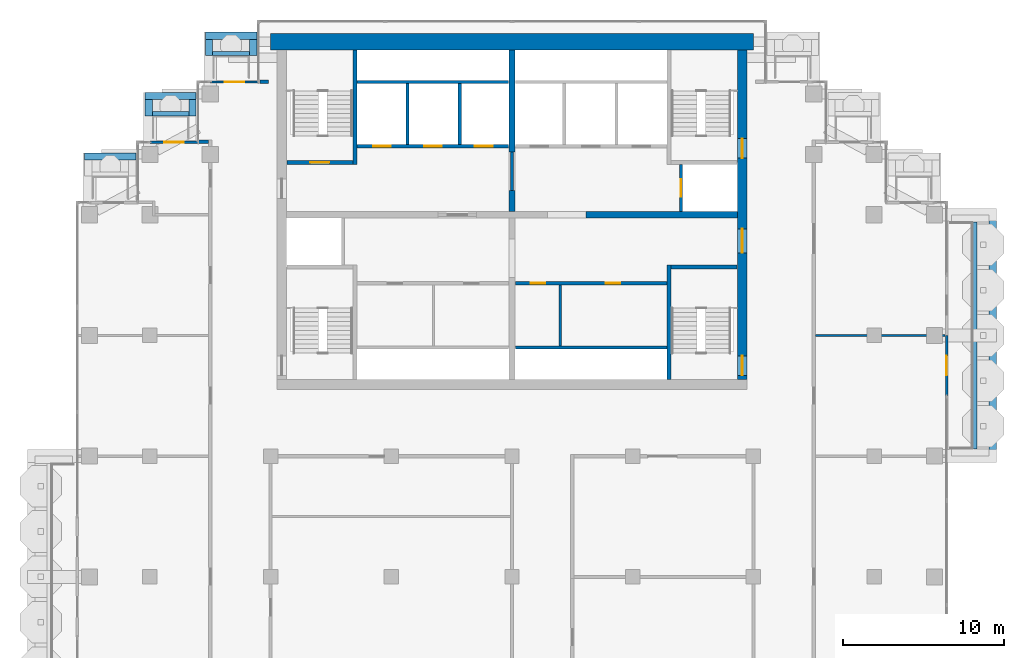
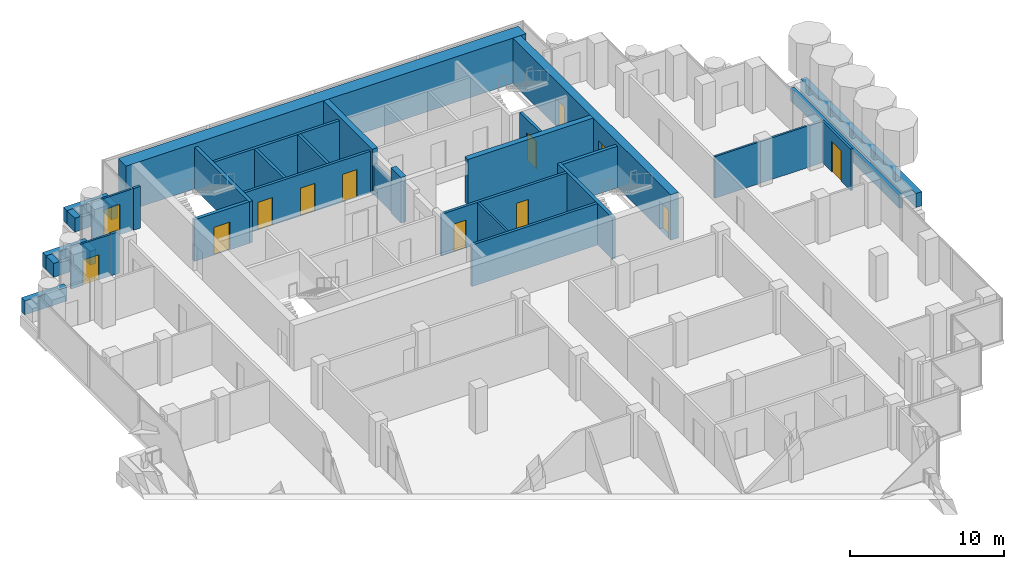
# One storey, part 13 of 18: 35 walls, 13 doors, 13 openings.
"""IFC4 building model written with IfcOpenShell, lengths in metres."""

from ifc_helpers import new_model, si_unit, direction, frame, frame_2d, origin, place, context, subcontext, project, spatial, rectangle, extrude, material, layer, layer_set, type_object, element, fill, save


model = new_model("IFC4")

# Units and contexts
model_context = context("Model", 3, precision=1e-05, world=origin(), true_north=direction((0.0, 1.0)))
body_context = subcontext(model_context, "Body", "Model", "MODEL_VIEW")
ifc_project = project(units=[si_unit("LENGTHUNIT", "METRE"), si_unit("AREAUNIT", "SQUARE_METRE"), si_unit("VOLUMEUNIT", "CUBIC_METRE"), si_unit("PLANEANGLEUNIT", "RADIAN"), si_unit("MASSUNIT", "GRAM", prefix="KILO")], contexts=[model_context])

# Site, building, storey
site_placement = place(None, origin())
site = spatial("IfcSite", under=ifc_project, at=site_placement, CompositionType="ELEMENT")
building_placement = place(site_placement, origin())
building = spatial("IfcBuilding", under=site, at=building_placement, Name="Pilkhan Gate Tower", CompositionType="ELEMENT")
storey_placement = place(building_placement, frame((0.0, 0.0, 195.89990234375)))
storey = spatial("IfcBuildingStorey", under=building, at=storey_placement, Name="L50", CompositionType="ELEMENT", Elevation=195.89990234375)

# Walls
ifc_material_1 = material(Name="Concrete C40/50", Category="concrete")
ifc_layer_1 = layer(ifc_material_1, 0.25)
ifc_layer_set_1 = layer_set([ifc_layer_1], Name="Balcony planter BP250")
wall_type_1 = type_object("IfcWallType", Name="Balcony planter BP250", PredefinedType="USERDEFINED", material=ifc_layer_set_1)
wall_1_placement = place(storey_placement, frame((103.77490234375, 67.949951171875, 0.0), z_axis=(0.0, 0.0, 1.0), x_axis=(0.0, 1.0, 0.0)))
element("IfcWall", 1, at=wall_1_placement, inside=storey, type_object=wall_type_1, Name="Balcony planter L50 E", ObjectType="BALCONY PLANTER", PredefinedType="USERDEFINED", context=body_context, shape_type="SweptSolid", body=[
    extrude(rectangle(XDim=14.10009765625, YDim=0.25, at=frame_2d((7.050048828125, 0.0))), origin(), (0.0, 0.0, 1.0), 1.0),
])
wall_2_placement = place(storey_placement, frame((56.39990234375, 92.52490234375, 0.0), z_axis=(0.0, 0.0, 1.0), x_axis=(1.0, 0.0, 0.0)))
element("IfcWall", 2, at=wall_2_placement, inside=storey, type_object=wall_type_1, Name="Balcony planter L50 N", ObjectType="BALCONY PLANTER", PredefinedType="USERDEFINED", context=body_context, shape_type="SweptSolid", body=[
    extrude(rectangle(XDim=2.300048828125, YDim=0.25, at=frame_2d((1.14990234375, 0.0))), origin(), (0.0, 0.0, 1.0), 1.0),
])
wall_3_placement = place(storey_placement, frame((52.64990234375, 88.77490234375, 0.0), z_axis=(0.0, 0.0, 1.0), x_axis=(1.0, 0.0, 0.0)))
element("IfcWall", 3, at=wall_3_placement, inside=storey, type_object=wall_type_1, Name="Balcony planter L50 N", ObjectType="BALCONY PLANTER", PredefinedType="USERDEFINED", context=body_context, shape_type="SweptSolid", body=[
    extrude(rectangle(XDim=2.280029296875, YDim=0.25, at=frame_2d((1.14013671875, 0.0))), origin(), (0.0, 0.0, 1.0), 1.0),
])
ifc_material_2 = material(Name="Board-marked Concrete C40/50", Category="concrete")
ifc_layer_2 = layer(ifc_material_2, 0.449951171875)
ifc_layer_set_2 = layer_set([ifc_layer_2], Name="Balcony planter lip BL450")
wall_type_2 = type_object("IfcWallType", Name="Balcony planter lip BL450", PredefinedType="USERDEFINED", material=ifc_layer_set_2)
wall_4_placement = place(storey_placement, frame((104.875, 67.5, 0.0), z_axis=(0.0, 0.0, 1.0), x_axis=(0.0, 1.0, 0.0)))
element("IfcWall", 4, at=wall_4_placement, inside=storey, type_object=wall_type_2, Name="Balcony planter L50 E", ObjectType="BALCONY PLANTER", PredefinedType="USERDEFINED", context=body_context, shape_type="SweptSolid", body=[
    extrude(rectangle(XDim=15.0, YDim=0.449951171875, at=frame_2d((7.5, 0.0))), origin(), (0.0, 0.0, 1.0), 1.10009765625),
])
wall_5_placement = place(storey_placement, frame((55.949951171875, 93.625, 0.0), z_axis=(0.0, 0.0, 1.0), x_axis=(1.0, 0.0, 0.0)))
element("IfcWall", 5, at=wall_5_placement, inside=storey, type_object=wall_type_2, Name="Balcony planter L50 N", ObjectType="BALCONY PLANTER", PredefinedType="USERDEFINED", context=body_context, shape_type="SweptSolid", body=[
    extrude(rectangle(XDim=3.199951171875, YDim=0.449951171875, at=frame_2d((1.60009765625, 0.0))), origin(), (0.0, 0.0, 1.0), 1.10009765625),
])
for number, where, z_axis, x_axis, name in (
    (6, (56.175048828125, 92.39990234375, 0.0), (0.0, 0.0, 1.0), (0.0, 1.0, 0.0), "Balcony planter L50 N"),
    (7, (58.925048828125, 92.39990234375, 0.0), (0.0, 0.0, 1.0), (0.0, 1.0, 0.0), "Balcony planter L50 N"),
):
    element("IfcWall", number, at=place(storey_placement, frame(where, z_axis=z_axis, x_axis=x_axis)), inside=storey, type_object=wall_type_2, Name=name, ObjectType="BALCONY PLANTER", PredefinedType="USERDEFINED", context=body_context, shape_type="SweptSolid", body=[
        extrude(rectangle(XDim=1.0, YDim=0.449951171875, at=frame_2d((0.5, 0.0))), origin(), (0.0, 0.0, 1.0), 1.10009765625),
    ])
wall_6_placement = place(storey_placement, frame((52.199951171875, 89.875, 0.0), z_axis=(0.0, 0.0, 1.0), x_axis=(1.0, 0.0, 0.0)))
element("IfcWall", 8, at=wall_6_placement, inside=storey, type_object=wall_type_2, Name="Balcony planter L50 N", ObjectType="BALCONY PLANTER", PredefinedType="USERDEFINED", context=body_context, shape_type="SweptSolid", body=[
    extrude(rectangle(XDim=3.179931640625, YDim=0.449951171875, at=frame_2d((1.58984375, 0.0))), origin(), (0.0, 0.0, 1.0), 1.10009765625),
])
for number, where, z_axis, x_axis, name in (
    (9, (52.425048828125, 88.64990234375, 0.0), (0.0, 0.0, 1.0), (0.0, 1.0, 0.0), "Balcony planter L50 N"),
    (10, (55.155029296875, 88.64990234375, 0.0), (0.0, 0.0, 1.0), (0.0, 1.0, 0.0), "Balcony planter L50 N"),
):
    element("IfcWall", number, at=place(storey_placement, frame(where, z_axis=z_axis, x_axis=x_axis)), inside=storey, type_object=wall_type_2, Name=name, ObjectType="BALCONY PLANTER", PredefinedType="USERDEFINED", context=body_context, shape_type="SweptSolid", body=[
        extrude(rectangle(XDim=1.0, YDim=0.449951171875, at=frame_2d((0.5, 0.0))), origin(), (0.0, 0.0, 1.0), 1.10009765625),
    ])
wall_7_placement = place(storey_placement, frame((48.449951171875, 86.125, 0.0), z_axis=(0.0, 0.0, 1.0), x_axis=(1.0, 0.0, 0.0)))
element("IfcWall", 11, at=wall_7_placement, inside=storey, type_object=wall_type_2, Name="Balcony planter L50 N", ObjectType="BALCONY PLANTER", PredefinedType="USERDEFINED", context=body_context, shape_type="SweptSolid", body=[
    extrude(rectangle(XDim=3.179931640625, YDim=0.449951171875, at=frame_2d((1.58984375, 0.0))), origin(), (0.0, 0.0, 1.0), 1.10009765625),
])
ifc_material_3 = material(Name="Concrete C50/60", Category="concrete")
ifc_layer_3 = layer(ifc_material_3, 1.0)
ifc_layer_set_3 = layer_set([ifc_layer_3], Name="Core wall CW1000 C50/60")
wall_type_3 = type_object("IfcWallType", Name="Core wall CW1000 C50/60", PredefinedType="SHEAR", material=ifc_layer_set_3)
wall_8_placement = place(storey_placement, frame((90.0, 93.25, 0.0), z_axis=(0.0, 0.0, 1.0), x_axis=(-1.0, 0.0, 0.0)))
element("IfcWall", 12, at=wall_8_placement, inside=storey, type_object=wall_type_3, Name="Core wall N L50", PredefinedType="SHEAR", context=body_context, shape_type="SweptSolid", body=[
    extrude(rectangle(XDim=30.0, YDim=1.0, at=frame_2d((15.0, 0.0))), origin(), (0.0, 0.0, 1.0), 3.60009765625),
])

# Wall, openings, doors
ifc_layer_4 = layer(ifc_material_3, 0.60009765625)
ifc_layer_set_4 = layer_set([ifc_layer_4], Name="Core wall CW600 C50/60")
wall_type_4 = type_object("IfcWallType", Name="Core wall CW600 C50/60", PredefinedType="SHEAR", material=ifc_layer_set_4)
wall_9_placement = place(storey_placement, frame((89.300048828125, 72.25, 0.0), z_axis=(0.0, 0.0, 1.0), x_axis=(0.0, 1.0, 0.0)))
wall_9 = element("IfcWall", 13, at=wall_9_placement, inside=storey, type_object=wall_type_4, Name="Core wall E L50", PredefinedType="SHEAR", context=body_context, shape_type="SweptSolid", body=[
    extrude(rectangle(XDim=20.5, YDim=0.60009765625, at=frame_2d((10.25, 0.0))), origin(), (0.0, 0.0, 1.0), 3.60009765625),
])
opening_1_placement = place(wall_9_placement, frame((0.27490234375, 0.0, 0.0)))
opening_1 = element("IfcOpeningElement", 14, at=opening_1_placement, cuts=wall_9, Name="Opening L50-03", PredefinedType="OPENING", context=body_context, shape_type="SweptSolid", body=[
    extrude(rectangle(XDim=1.199951171875, YDim=2.199951171875, at=frame_2d((0.60009765625, 1.10009765625))), frame((0.0, 0.31005859375, 0.0), z_axis=(0.0, -1.0, 0.0), x_axis=(1.0, 0.0, 0.0)), (0.0, 0.0, 1.0), 0.6201171875),
])
opening_2_placement = place(wall_9_placement, frame((13.77490234375, 0.0, 0.0)))
opening_2 = element("IfcOpeningElement", 15, at=opening_2_placement, cuts=wall_9, Name="Opening L50-05", PredefinedType="OPENING", context=body_context, shape_type="SweptSolid", body=[
    extrude(rectangle(XDim=1.199951171875, YDim=2.199951171875, at=frame_2d((0.60009765625, 1.10009765625))), frame((0.0, 0.31005859375, 0.0), z_axis=(0.0, -1.0, 0.0), x_axis=(1.0, 0.0, 0.0)), (0.0, 0.0, 1.0), 0.6201171875),
])
opening_3_placement = place(wall_9_placement, frame((7.875, 0.0, 0.0)))
opening_3 = element("IfcOpeningElement", 16, at=opening_3_placement, cuts=wall_9, Name="Opening L50-06", PredefinedType="OPENING", context=body_context, shape_type="SweptSolid", body=[
    extrude(rectangle(XDim=1.5, YDim=2.199951171875, at=frame_2d((0.75, 1.10009765625))), frame((0.0, 0.31005859375, 0.0), z_axis=(0.0, -1.0, 0.0), x_axis=(1.0, 0.0, 0.0)), (0.0, 0.0, 1.0), 0.6201171875),
])
ifc_material_4 = material(Name="Steel framed glazed door, 60 minute fire resisting", Category="steel")
door_type_1 = type_object("IfcDoorType", Name="Lobby door D09 1500x2200", OperationType="DOUBLE_DOOR_SINGLE_SWING", PredefinedType="DOOR", material=ifc_material_4)
door_1_placement = place(opening_3_placement, origin())
door_1 = element("IfcDoor", 17, at=door_1_placement, inside=storey, type_object=door_type_1, Name="Core door", OperationType="DOUBLE_DOOR_SINGLE_SWING", OverallHeight=2.199951171875, OverallWidth=1.5, PredefinedType="DOOR", context=body_context, shape_type="SweptSolid", body=[
    extrude(rectangle(XDim=1.5, YDim=2.199951171875, at=frame_2d((0.75, 1.10009765625))), frame((0.0, 0.02490234375, 0.0), z_axis=(0.0, -1.0, 0.0), x_axis=(1.0, 0.0, 0.0)), (0.0, 0.0, 1.0), 0.050048828125),
])
fill(opening_3, door_1)
ifc_material_5 = material(Name="Steel door, 120 minute fire resisting, panic bar", Category="steel")
door_type_2 = type_object("IfcDoorType", Name="Stair door D11 1200x2200", OperationType="SINGLE_SWING_LEFT", PredefinedType="DOOR", material=ifc_material_5)
door_2_placement = place(opening_1_placement, origin())
door_2 = element("IfcDoor", 18, at=door_2_placement, inside=storey, type_object=door_type_2, Name="Stair ST1 door", OperationType="SINGLE_SWING_LEFT", OverallHeight=2.199951171875, OverallWidth=1.199951171875, PredefinedType="DOOR", context=body_context, shape_type="SweptSolid", body=[
    extrude(rectangle(XDim=1.199951171875, YDim=2.199951171875, at=frame_2d((0.60009765625, 1.10009765625))), frame((0.0, 0.02490234375, 0.0), z_axis=(0.0, -1.0, 0.0), x_axis=(1.0, 0.0, 0.0)), (0.0, 0.0, 1.0), 0.050048828125),
])
fill(opening_1, door_2)
door_3_placement = place(opening_2_placement, origin())
door_3 = element("IfcDoor", 19, at=door_3_placement, inside=storey, type_object=door_type_2, Name="Stair ST4 door", OperationType="SINGLE_SWING_RIGHT", OverallHeight=2.199951171875, OverallWidth=1.199951171875, PredefinedType="DOOR", context=body_context, shape_type="SweptSolid", body=[
    extrude(rectangle(XDim=1.199951171875, YDim=2.199951171875, at=frame_2d((0.60009765625, 1.10009765625))), frame((0.0, 0.02490234375, 0.0), z_axis=(0.0, -1.0, 0.0), x_axis=(1.0, 0.0, 0.0)), (0.0, 0.0, 1.0), 0.050048828125),
])
fill(opening_2, door_3)

# Walls
ifc_material_6 = material(Name="Dense blockwork", Category="masonry")
ifc_layer_5 = layer(ifc_material_6, 0.199951171875)
ifc_layer_set_5 = layer_set([ifc_layer_5], Name="Corridor wall FW200")
wall_type_5 = type_object("IfcWallType", Name="Corridor wall FW200", PredefinedType="PARTITIONING", material=ifc_layer_set_5)
wall_10_placement = place(storey_placement, frame((55.510009765625, 87.030029296875, 0.0), z_axis=(0.0, 0.0, 1.0), x_axis=(1.0, 0.0, 0.0)))
element("IfcWall", 20, at=wall_10_placement, inside=storey, type_object=wall_type_5, Name="Partition L50", PredefinedType="PARTITIONING", context=body_context, shape_type="SweptSolid", body=[
    extrude(rectangle(XDim=0.639892578125, YDim=0.199951171875, at=frame_2d((0.31982421875, 0.0))), origin(), (0.0, 0.0, 1.0), 3.300048828125),
])
wall_11_placement = place(storey_placement, frame((59.35498046875, 90.764892578125, 0.0), z_axis=(0.0, 0.0, 1.0), x_axis=(1.0, 0.0, 0.0)))
element("IfcWall", 21, at=wall_11_placement, inside=storey, type_object=wall_type_5, Name="Partition L50", PredefinedType="PARTITIONING", context=body_context, shape_type="SweptSolid", body=[
    extrude(rectangle(XDim=0.52490234375, YDim=0.199951171875, at=frame_2d((0.262451171875, 0.0))), origin(), (0.0, 0.0, 1.0), 3.300048828125),
])

# Wall, opening, door
ifc_material_7 = material(Name="Pale anodised aluminium, clear laminated glazing", Category="aluminium")
ifc_layer_6 = layer(ifc_material_7, 0.14990234375)
ifc_layer_set_6 = layer_set([ifc_layer_6], Name="Facade infill wall IW150")
wall_type_6 = type_object("IfcWallType", Name="Facade infill wall IW150", PredefinedType="SOLIDWALL", material=ifc_layer_set_6)
wall_12_placement = place(storey_placement, frame((102.0, 71.25, 0.0), z_axis=(0.0, 0.0, 1.0), x_axis=(0.0, 1.0, 0.0)))
wall_12 = element("IfcWall", 22, at=wall_12_placement, inside=storey, type_object=wall_type_6, Name="Infill wall L50 E", PredefinedType="SOLIDWALL", context=body_context, shape_type="SweptSolid", body=[
    extrude(rectangle(XDim=3.75, YDim=0.14990234375, at=frame_2d((1.875, 0.0))), origin(), (0.0, 0.0, 1.0), 3.300048828125),
])
opening_4_placement = place(wall_12_placement, frame((1.27490234375, 0.0, 0.0)))
opening_4 = element("IfcOpeningElement", 23, at=opening_4_placement, cuts=wall_12, Name="Opening D1", PredefinedType="OPENING", context=body_context, shape_type="SweptSolid", body=[
    extrude(rectangle(XDim=1.199951171875, YDim=2.39990234375, at=frame_2d((0.60009765625, 1.199951171875))), frame((0.0, 0.0849609375, 0.0), z_axis=(0.0, -1.0, 0.0), x_axis=(1.0, 0.0, 0.0)), (0.0, 0.0, 1.0), 0.169921875),
])
ifc_material_8 = material(Name="Pale anodised aluminium, clear glazing", Category="aluminium")
door_type_3 = type_object("IfcDoorType", Name="Balcony door D1 1200x2400", OperationType="SINGLE_SWING_LEFT", PredefinedType="DOOR", material=ifc_material_8)
door_4_placement = place(opening_4_placement, origin())
door_4 = element("IfcDoor", 24, at=door_4_placement, inside=storey, type_object=door_type_3, Name="Balcony door L50", OperationType="SINGLE_SWING_LEFT", OverallHeight=2.39990234375, OverallWidth=1.199951171875, PredefinedType="DOOR", context=body_context, shape_type="SweptSolid", body=[
    extrude(rectangle(XDim=1.199951171875, YDim=2.39990234375, at=frame_2d((0.60009765625, 1.199951171875))), frame((0.0, 0.02490234375, 0.0), z_axis=(0.0, -1.0, 0.0), x_axis=(1.0, 0.0, 0.0)), (0.0, 0.0, 1.0), 0.050048828125),
])
fill(opening_4, door_4)

wall_13_placement = place(storey_placement, frame((56.25, 90.75, 0.0), z_axis=(0.0, 0.0, 1.0), x_axis=(1.0, 0.0, 0.0)))
wall_13 = element("IfcWall", 25, at=wall_13_placement, inside=storey, type_object=wall_type_6, Name="Infill wall L50 N", PredefinedType="SOLIDWALL", context=body_context, shape_type="SweptSolid", body=[
    extrude(rectangle(XDim=3.0, YDim=0.14990234375, at=frame_2d((1.5, 0.0))), origin(), (0.0, 0.0, 1.0), 3.300048828125),
])
opening_5_placement = place(wall_13_placement, frame((0.89990234375, 0.0, 0.0)))
opening_5 = element("IfcOpeningElement", 26, at=opening_5_placement, cuts=wall_13, Name="Opening D1", PredefinedType="OPENING", context=body_context, shape_type="SweptSolid", body=[
    extrude(rectangle(XDim=1.199951171875, YDim=2.39990234375, at=frame_2d((0.60009765625, 1.199951171875))), frame((0.0, 0.0849609375, 0.0), z_axis=(0.0, -1.0, 0.0), x_axis=(1.0, 0.0, 0.0)), (0.0, 0.0, 1.0), 0.169921875),
])
door_5_placement = place(opening_5_placement, origin())
door_5 = element("IfcDoor", 27, at=door_5_placement, inside=storey, type_object=door_type_3, Name="Balcony door L50", OperationType="SINGLE_SWING_LEFT", OverallHeight=2.39990234375, OverallWidth=1.199951171875, PredefinedType="DOOR", context=body_context, shape_type="SweptSolid", body=[
    extrude(rectangle(XDim=1.199951171875, YDim=2.39990234375, at=frame_2d((0.60009765625, 1.199951171875))), frame((0.0, 0.02490234375, 0.0), z_axis=(0.0, -1.0, 0.0), x_axis=(1.0, 0.0, 0.0)), (0.0, 0.0, 1.0), 0.050048828125),
])
fill(opening_5, door_5)

wall_14_placement = place(storey_placement, frame((52.5, 87.0, 0.0), z_axis=(0.0, 0.0, 1.0), x_axis=(1.0, 0.0, 0.0)))
wall_14 = element("IfcWall", 28, at=wall_14_placement, inside=storey, type_object=wall_type_6, Name="Infill wall L50 N", PredefinedType="SOLIDWALL", context=body_context, shape_type="SweptSolid", body=[
    extrude(rectangle(XDim=3.0, YDim=0.14990234375, at=frame_2d((1.5, 0.0))), origin(), (0.0, 0.0, 1.0), 3.300048828125),
])
opening_6_placement = place(wall_14_placement, frame((0.89990234375, 0.0, 0.0)))
opening_6 = element("IfcOpeningElement", 29, at=opening_6_placement, cuts=wall_14, Name="Opening D1L", PredefinedType="OPENING", context=body_context, shape_type="SweptSolid", body=[
    extrude(rectangle(XDim=1.199951171875, YDim=2.0, at=frame_2d((0.60009765625, 1.0))), frame((0.0, 0.0849609375, 0.0), z_axis=(0.0, -1.0, 0.0), x_axis=(1.0, 0.0, 0.0)), (0.0, 0.0, 1.0), 0.169921875),
])
door_type_4 = type_object("IfcDoorType", Name="Balcony door D1L 1200x2000", OperationType="SINGLE_SWING_LEFT", PredefinedType="DOOR", material=ifc_material_8)
door_6_placement = place(opening_6_placement, origin())
door_6 = element("IfcDoor", 30, at=door_6_placement, inside=storey, type_object=door_type_4, Name="Balcony door L50", OperationType="SINGLE_SWING_LEFT", OverallHeight=2.0, OverallWidth=1.199951171875, PredefinedType="DOOR", context=body_context, shape_type="SweptSolid", body=[
    extrude(rectangle(XDim=1.199951171875, YDim=2.0, at=frame_2d((0.60009765625, 1.0))), frame((0.0, 0.02490234375, 0.0), z_axis=(0.0, -1.0, 0.0), x_axis=(1.0, 0.0, 0.0)), (0.0, 0.0, 1.0), 0.050048828125),
])
fill(opening_6, door_6)

# Wall
ifc_layer_7 = layer(ifc_material_6, 0.199951171875)
ifc_layer_set_7 = layer_set([ifc_layer_7], Name="Lobby wall LW200")
wall_type_7 = type_object("IfcWallType", Name="Lobby wall LW200", PredefinedType="PARTITIONING", material=ifc_layer_set_7)
wall_15_placement = place(storey_placement, frame((75.2099609375, 74.25, 0.0), z_axis=(0.0, 0.0, 1.0), x_axis=(1.0, 0.0, 0.0)))
element("IfcWall", 31, at=wall_15_placement, inside=storey, type_object=wall_type_7, Name="Partition L50", PredefinedType="PARTITIONING", context=body_context, shape_type="SweptSolid", body=[
    extrude(rectangle(XDim=9.4150390625, YDim=0.199951171875, at=frame_2d((4.70751953125, 0.0))), origin(), (0.0, 0.0, 1.0), 3.300048828125),
])

# Wall, openings, doors
wall_16_placement = place(storey_placement, frame((75.2099609375, 78.25, 0.0), z_axis=(0.0, 0.0, 1.0), x_axis=(1.0, 0.0, 0.0)))
wall_16 = element("IfcWall", 32, at=wall_16_placement, inside=storey, type_object=wall_type_7, Name="Partition L50", PredefinedType="PARTITIONING", context=body_context, shape_type="SweptSolid", body=[
    extrude(rectangle(XDim=9.4150390625, YDim=0.199951171875, at=frame_2d((4.70751953125, 0.0))), origin(), (0.0, 0.0, 1.0), 3.300048828125),
])
opening_7_placement = place(wall_16_placement, frame((0.949951171875, 0.0, 0.0)))
opening_7 = element("IfcOpeningElement", 33, at=opening_7_placement, cuts=wall_16, Name="Opening L50-10", PredefinedType="OPENING", context=body_context, shape_type="SweptSolid", body=[
    extrude(rectangle(XDim=0.89990234375, YDim=2.199951171875, at=frame_2d((0.449951171875, 1.10009765625))), frame((0.0, 0.10986328125, 0.0), z_axis=(0.0, -1.0, 0.0), x_axis=(1.0, 0.0, 0.0)), (0.0, 0.0, 1.0), 0.219970703125),
])
opening_8_placement = place(wall_16_placement, frame((5.6298828125, 0.0, 0.0)))
opening_8 = element("IfcOpeningElement", 34, at=opening_8_placement, cuts=wall_16, Name="Opening L50-11", PredefinedType="OPENING", context=body_context, shape_type="SweptSolid", body=[
    extrude(rectangle(XDim=0.89990234375, YDim=2.199951171875, at=frame_2d((0.449951171875, 1.10009765625))), frame((0.0, 0.10986328125, 0.0), z_axis=(0.0, -1.0, 0.0), x_axis=(1.0, 0.0, 0.0)), (0.0, 0.0, 1.0), 0.219970703125),
])
ifc_material_9 = material(Name="Timber flush door, 60 minute fire resisting, self-closing", Category="wood")
door_type_5 = type_object("IfcDoorType", Name="Store door D05 900x2200", OperationType="SINGLE_SWING_LEFT", PredefinedType="DOOR", material=ifc_material_9)
door_7_placement = place(opening_7_placement, origin())
door_7 = element("IfcDoor", 35, at=door_7_placement, inside=storey, type_object=door_type_5, Name="Store door", OperationType="SINGLE_SWING_RIGHT", OverallHeight=2.199951171875, OverallWidth=0.89990234375, PredefinedType="DOOR", context=body_context, shape_type="SweptSolid", body=[
    extrude(rectangle(XDim=0.89990234375, YDim=2.199951171875, at=frame_2d((0.449951171875, 1.10009765625))), frame((0.0, 0.02490234375, 0.0), z_axis=(0.0, -1.0, 0.0), x_axis=(1.0, 0.0, 0.0)), (0.0, 0.0, 1.0), 0.050048828125),
])
fill(opening_7, door_7)
door_8_placement = place(opening_8_placement, origin())
door_8 = element("IfcDoor", 36, at=door_8_placement, inside=storey, type_object=door_type_5, Name="Store door", OperationType="SINGLE_SWING_LEFT", OverallHeight=2.199951171875, OverallWidth=0.89990234375, PredefinedType="DOOR", context=body_context, shape_type="SweptSolid", body=[
    extrude(rectangle(XDim=0.89990234375, YDim=2.199951171875, at=frame_2d((0.449951171875, 1.10009765625))), frame((0.0, 0.02490234375, 0.0), z_axis=(0.0, -1.0, 0.0), x_axis=(1.0, 0.0, 0.0)), (0.0, 0.0, 1.0), 0.050048828125),
])
fill(opening_8, door_8)

# Walls
wall_17_placement = place(storey_placement, frame((75.0, 84.010009765625, 0.0), z_axis=(0.0, 0.0, 1.0), x_axis=(0.0, 1.0, 0.0)))
element("IfcWall", 37, at=wall_17_placement, inside=storey, type_object=wall_type_7, Name="Partition L50", PredefinedType="PARTITIONING", context=body_context, shape_type="SweptSolid", body=[
    extrude(rectangle(XDim=2.3798828125, YDim=0.199951171875, at=frame_2d((1.18994140625, 0.0))), origin(), (0.0, 0.0, 1.0), 2.400146484375),
])
ifc_material_10 = material(Name="Blockwork partition, plastered both sides", Category="masonry")
ifc_layer_8 = layer(ifc_material_10, 0.14990234375)
ifc_layer_set_8 = layer_set([ifc_layer_8], Name="Partition PW150")
wall_type_8 = type_object("IfcWallType", Name="Partition PW150", PredefinedType="PARTITIONING", material=ifc_layer_set_8)
wall_18_placement = place(storey_placement, frame((93.85009765625, 75.0, 0.0), z_axis=(0.0, 0.0, 1.0), x_axis=(1.0, 0.0, 0.0)))
element("IfcWall", 38, at=wall_18_placement, inside=storey, type_object=wall_type_8, Name="Partition L50", PredefinedType="PARTITIONING", context=body_context, shape_type="SweptSolid", body=[
    extrude(rectangle(XDim=8.06494140625, YDim=0.14990234375, at=frame_2d((4.032470703125, 0.0))), origin(), (0.0, 0.0, 1.0), 3.300048828125),
])
wall_19_placement = place(storey_placement, frame((77.989990234375, 74.35009765625, 0.0), z_axis=(0.0, 0.0, 1.0), x_axis=(0.0, 1.0, 0.0)))
element("IfcWall", 39, at=wall_19_placement, inside=storey, type_object=wall_type_8, Name="Partition L50", PredefinedType="PARTITIONING", context=body_context, shape_type="SweptSolid", body=[
    extrude(rectangle(XDim=3.7998046875, YDim=0.14990234375, at=frame_2d((1.89990234375, 0.0))), origin(), (0.0, 0.0, 1.0), 3.300048828125),
])

# Wall, openings, doors
ifc_material_11 = material(Name="Reinforced blockwork shaft wall, 120 minute fire resisting", Category="masonry")
ifc_layer_9 = layer(ifc_material_11, 0.199951171875)
ifc_layer_set_9 = layer_set([ifc_layer_9], Name="Shaft wall SW200")
wall_type_9 = type_object("IfcWallType", Name="Shaft wall SW200", PredefinedType="PARTITIONING", material=ifc_layer_set_9)
wall_20_placement = place(storey_placement, frame((65.375, 86.75, 0.0), z_axis=(0.0, 0.0, 1.0), x_axis=(1.0, 0.0, 0.0)))
wall_20 = element("IfcWall", 40, at=wall_20_placement, inside=storey, type_object=wall_type_9, Name="Partition L50", PredefinedType="PARTITIONING", context=body_context, shape_type="SweptSolid", body=[
    extrude(rectangle(XDim=9.4150390625, YDim=0.199951171875, at=frame_2d((4.70751953125, 0.0))), origin(), (0.0, 0.0, 1.0), 3.300048828125),
])
opening_9_placement = place(wall_20_placement, frame((1.0, 0.0, 0.0)))
opening_9 = element("IfcOpeningElement", 41, at=opening_9_placement, cuts=wall_20, Name="Opening LD", PredefinedType="OPENING", context=body_context, shape_type="SweptSolid", body=[
    extrude(rectangle(XDim=1.10009765625, YDim=2.199951171875, at=frame_2d((0.550048828125, 1.10009765625))), frame((0.0, 0.10986328125, 0.0), z_axis=(0.0, -1.0, 0.0), x_axis=(1.0, 0.0, 0.0)), (0.0, 0.0, 1.0), 0.219970703125),
])
opening_10_placement = place(wall_20_placement, frame((4.175048828125, 0.0, 0.0)))
opening_10 = element("IfcOpeningElement", 42, at=opening_10_placement, cuts=wall_20, Name="Opening LD", PredefinedType="OPENING", context=body_context, shape_type="SweptSolid", body=[
    extrude(rectangle(XDim=1.10009765625, YDim=2.199951171875, at=frame_2d((0.550048828125, 1.10009765625))), frame((0.0, 0.10986328125, 0.0), z_axis=(0.0, -1.0, 0.0), x_axis=(1.0, 0.0, 0.0)), (0.0, 0.0, 1.0), 0.219970703125),
])
opening_11_placement = place(wall_20_placement, frame((7.324951171875, 0.0, 0.0)))
opening_11 = element("IfcOpeningElement", 43, at=opening_11_placement, cuts=wall_20, Name="Opening LD", PredefinedType="OPENING", context=body_context, shape_type="SweptSolid", body=[
    extrude(rectangle(XDim=1.10009765625, YDim=2.199951171875, at=frame_2d((0.550048828125, 1.10009765625))), frame((0.0, 0.10986328125, 0.0), z_axis=(0.0, -1.0, 0.0), x_axis=(1.0, 0.0, 0.0)), (0.0, 0.0, 1.0), 0.219970703125),
])
ifc_material_12 = material(Name="Stainless steel centre-opening landing door, 120 minute fire resisting", Category="steel")
door_type_6 = type_object("IfcDoorType", Name="Lift landing door LD 1100x2200", OperationType="DOUBLE_DOOR_SLIDING", PredefinedType="DOOR", material=ifc_material_12)
door_9_placement = place(opening_9_placement, origin())
door_9 = element("IfcDoor", 44, at=door_9_placement, inside=storey, type_object=door_type_6, Name="Landing door FF1", OperationType="DOUBLE_DOOR_SLIDING", OverallHeight=2.199951171875, OverallWidth=1.10009765625, PredefinedType="DOOR", context=body_context, shape_type="SweptSolid", body=[
    extrude(rectangle(XDim=1.10009765625, YDim=2.199951171875, at=frame_2d((0.550048828125, 1.10009765625))), frame((0.0, 0.02490234375, 0.0), z_axis=(0.0, -1.0, 0.0), x_axis=(1.0, 0.0, 0.0)), (0.0, 0.0, 1.0), 0.050048828125),
])
fill(opening_9, door_9)
door_10_placement = place(opening_10_placement, origin())
door_10 = element("IfcDoor", 45, at=door_10_placement, inside=storey, type_object=door_type_6, Name="Landing door FF2", OperationType="DOUBLE_DOOR_SLIDING", OverallHeight=2.199951171875, OverallWidth=1.10009765625, PredefinedType="DOOR", context=body_context, shape_type="SweptSolid", body=[
    extrude(rectangle(XDim=1.10009765625, YDim=2.199951171875, at=frame_2d((0.550048828125, 1.10009765625))), frame((0.0, 0.02490234375, 0.0), z_axis=(0.0, -1.0, 0.0), x_axis=(1.0, 0.0, 0.0)), (0.0, 0.0, 1.0), 0.050048828125),
])
fill(opening_10, door_10)
door_11_placement = place(opening_11_placement, origin())
door_11 = element("IfcDoor", 46, at=door_11_placement, inside=storey, type_object=door_type_6, Name="Landing door SV1", OperationType="DOUBLE_DOOR_SLIDING", OverallHeight=2.199951171875, OverallWidth=1.10009765625, PredefinedType="DOOR", context=body_context, shape_type="SweptSolid", body=[
    extrude(rectangle(XDim=1.10009765625, YDim=2.199951171875, at=frame_2d((0.550048828125, 1.10009765625))), frame((0.0, 0.02490234375, 0.0), z_axis=(0.0, -1.0, 0.0), x_axis=(1.0, 0.0, 0.0)), (0.0, 0.0, 1.0), 0.050048828125),
])
fill(opening_11, door_11)

# Walls
wall_21_placement = place(storey_placement, frame((65.375, 90.75, 0.0), z_axis=(0.0, 0.0, 1.0), x_axis=(1.0, 0.0, 0.0)))
element("IfcWall", 47, at=wall_21_placement, inside=storey, type_object=wall_type_9, Name="Partition L50", PredefinedType="PARTITIONING", context=body_context, shape_type="SweptSolid", body=[
    extrude(rectangle(XDim=9.4150390625, YDim=0.199951171875, at=frame_2d((4.70751953125, 0.0))), origin(), (0.0, 0.0, 1.0), 3.300048828125),
])
for number, where, z_axis, x_axis, name in (
    (48, (68.5, 86.85009765625, 0.0), (0.0, 0.0, 1.0), (0.0, 1.0, 0.0), "Partition L50"),
    (49, (71.75, 86.85009765625, 0.0), (0.0, 0.0, 1.0), (0.0, 1.0, 0.0), "Partition L50"),
):
    element("IfcWall", number, at=place(storey_placement, frame(where, z_axis=z_axis, x_axis=x_axis)), inside=storey, type_object=wall_type_9, Name=name, PredefinedType="PARTITIONING", context=body_context, shape_type="SweptSolid", body=[
        extrude(rectangle(XDim=3.7998046875, YDim=0.199951171875, at=frame_2d((1.89990234375, 0.0))), origin(), (0.0, 0.0, 1.0), 3.300048828125),
    ])

# Wall, opening, door
wall_22_placement = place(storey_placement, frame((85.5, 82.7099609375, 0.0), z_axis=(0.0, 0.0, 1.0), x_axis=(0.0, 1.0, 0.0)))
wall_22 = element("IfcWall", 50, at=wall_22_placement, inside=storey, type_object=wall_type_9, Name="Partition L50", PredefinedType="PARTITIONING", context=body_context, shape_type="SweptSolid", body=[
    extrude(rectangle(XDim=2.9150390625, YDim=0.199951171875, at=frame_2d((1.45751953125, 0.0))), origin(), (0.0, 0.0, 1.0), 3.300048828125),
])
opening_12_placement = place(wall_22_placement, frame((0.89990234375, 0.0, 0.0)))
opening_12 = element("IfcOpeningElement", 51, at=opening_12_placement, cuts=wall_22, Name="Opening LD", PredefinedType="OPENING", context=body_context, shape_type="SweptSolid", body=[
    extrude(rectangle(XDim=1.10009765625, YDim=2.199951171875, at=frame_2d((0.550048828125, 1.10009765625))), frame((0.0, 0.10986328125, 0.0), z_axis=(0.0, -1.0, 0.0), x_axis=(1.0, 0.0, 0.0)), (0.0, 0.0, 1.0), 0.219970703125),
])
door_12_placement = place(opening_12_placement, origin())
door_12 = element("IfcDoor", 52, at=door_12_placement, inside=storey, type_object=door_type_6, Name="Landing door HR4", OperationType="DOUBLE_DOOR_SLIDING", OverallHeight=2.199951171875, OverallWidth=1.10009765625, PredefinedType="DOOR", context=body_context, shape_type="SweptSolid", body=[
    extrude(rectangle(XDim=1.10009765625, YDim=2.199951171875, at=frame_2d((0.550048828125, 1.10009765625))), frame((0.0, 0.02490234375, 0.0), z_axis=(0.0, -1.0, 0.0), x_axis=(1.0, 0.0, 0.0)), (0.0, 0.0, 1.0), 0.050048828125),
])
fill(opening_12, door_12)

# Walls
ifc_layer_10 = layer(ifc_material_3, 0.39990234375)
ifc_layer_set_10 = layer_set([ifc_layer_10], Name="Spine wall SW400 C50/60")
wall_type_10 = type_object("IfcWallType", Name="Spine wall SW400 C50/60", PredefinedType="SHEAR", material=ifc_layer_set_10)
wall_23_placement = place(storey_placement, frame((79.60009765625, 82.5, 0.0), z_axis=(0.0, 0.0, 1.0), x_axis=(1.0, 0.0, 0.0)))
element("IfcWall", 53, at=wall_23_placement, inside=storey, type_object=wall_type_10, Name="Spine wall SP-EW3 L50", PredefinedType="SHEAR", context=body_context, shape_type="SweptSolid", body=[
    extrude(rectangle(XDim=9.39990234375, YDim=0.39990234375, at=frame_2d((4.699951171875, 0.0))), origin(), (0.0, 0.0, 1.0), 3.60009765625),
])
wall_24_placement = place(storey_placement, frame((75.0, 82.699951171875, 0.0), z_axis=(0.0, 0.0, 1.0), x_axis=(0.0, 1.0, 0.0)))
element("IfcWall", 54, at=wall_24_placement, inside=storey, type_object=wall_type_10, Name="Spine wall SP-NS-N1 L50", PredefinedType="SHEAR", context=body_context, shape_type="SweptSolid", body=[
    extrude(rectangle(XDim=1.300048828125, YDim=0.39990234375, at=frame_2d((0.64990234375, 0.0))), origin(), (0.0, 0.0, 1.0), 3.60009765625),
])
wall_25_placement = place(storey_placement, frame((75.0, 86.39990234375, 0.0), z_axis=(0.0, 0.0, 1.0), x_axis=(0.0, 1.0, 0.0)))
element("IfcWall", 55, at=wall_25_placement, inside=storey, type_object=wall_type_10, Name="Spine wall SP-NS-N2 L50", PredefinedType="SHEAR", context=body_context, shape_type="SweptSolid", body=[
    extrude(rectangle(XDim=6.35009765625, YDim=0.39990234375, at=frame_2d((3.175048828125, 0.0))), origin(), (0.0, 0.0, 1.0), 3.60009765625),
])
ifc_material_13 = material(Name="Reinforced blockwork, 120 minute fire resisting", Category="masonry")
ifc_layer_11 = layer(ifc_material_13, 0.25)
ifc_layer_set_11 = layer_set([ifc_layer_11], Name="Stair enclosure wall SE250")
wall_type_11 = type_object("IfcWallType", Name="Stair enclosure wall SE250", PredefinedType="PARTITIONING", material=ifc_layer_set_11)
wall_26_placement = place(storey_placement, frame((84.875, 79.25, 0.0), z_axis=(0.0, 0.0, 1.0), x_axis=(1.0, 0.0, 0.0)))
element("IfcWall", 56, at=wall_26_placement, inside=storey, type_object=wall_type_11, Name="Partition L50", PredefinedType="PARTITIONING", context=body_context, shape_type="SweptSolid", body=[
    extrude(rectangle(XDim=4.114990234375, YDim=0.25, at=frame_2d((2.0576171875, 0.0))), origin(), (0.0, 0.0, 1.0), 3.300048828125),
])

# Wall, opening, door
wall_27_placement = place(storey_placement, frame((61.010009765625, 85.75, 0.0), z_axis=(0.0, 0.0, 1.0), x_axis=(1.0, 0.0, 0.0)))
wall_27 = element("IfcWall", 57, at=wall_27_placement, inside=storey, type_object=wall_type_11, Name="Partition L50", PredefinedType="PARTITIONING", context=body_context, shape_type="SweptSolid", body=[
    extrude(rectangle(XDim=4.114990234375, YDim=0.25, at=frame_2d((2.0576171875, 0.0))), origin(), (0.0, 0.0, 1.0), 3.300048828125),
])
opening_13_placement = place(wall_27_placement, frame((1.449951171875, 0.0, 0.0)))
opening_13 = element("IfcOpeningElement", 58, at=opening_13_placement, cuts=wall_27, Name="Opening L50-02", PredefinedType="OPENING", context=body_context, shape_type="SweptSolid", body=[
    extrude(rectangle(XDim=1.199951171875, YDim=2.199951171875, at=frame_2d((0.60009765625, 1.10009765625))), frame((0.0, 0.135009765625, 0.0), z_axis=(0.0, -1.0, 0.0), x_axis=(1.0, 0.0, 0.0)), (0.0, 0.0, 1.0), 0.27001953125),
])
door_13_placement = place(opening_13_placement, origin())
door_13 = element("IfcDoor", 59, at=door_13_placement, inside=storey, type_object=door_type_2, Name="Stair ST3 lobby door", OperationType="SINGLE_SWING_LEFT", OverallHeight=2.199951171875, OverallWidth=1.199951171875, PredefinedType="DOOR", context=body_context, shape_type="SweptSolid", body=[
    extrude(rectangle(XDim=1.199951171875, YDim=2.199951171875, at=frame_2d((0.60009765625, 1.10009765625))), frame((0.0, 0.02490234375, 0.0), z_axis=(0.0, -1.0, 0.0), x_axis=(1.0, 0.0, 0.0)), (0.0, 0.0, 1.0), 0.050048828125),
])
fill(opening_13, door_13)

# Walls
for number, where, z_axis, x_axis, name in (
    (60, (65.25, 85.625, 0.0), (0.0, 0.0, 1.0), (0.0, 1.0, 0.0), "Partition L50"),
    (61, (84.75, 72.260009765625, 0.0), (0.0, 0.0, 1.0), (0.0, 1.0, 0.0), "Partition L50"),
):
    element("IfcWall", number, at=place(storey_placement, frame(where, z_axis=z_axis, x_axis=x_axis)), inside=storey, type_object=wall_type_11, Name=name, PredefinedType="PARTITIONING", context=body_context, shape_type="SweptSolid", body=[
        extrude(rectangle(XDim=7.114990234375, YDim=0.25, at=frame_2d((3.5576171875, 0.0))), origin(), (0.0, 0.0, 1.0), 3.300048828125),
    ])

save(model, "model.ifc")
